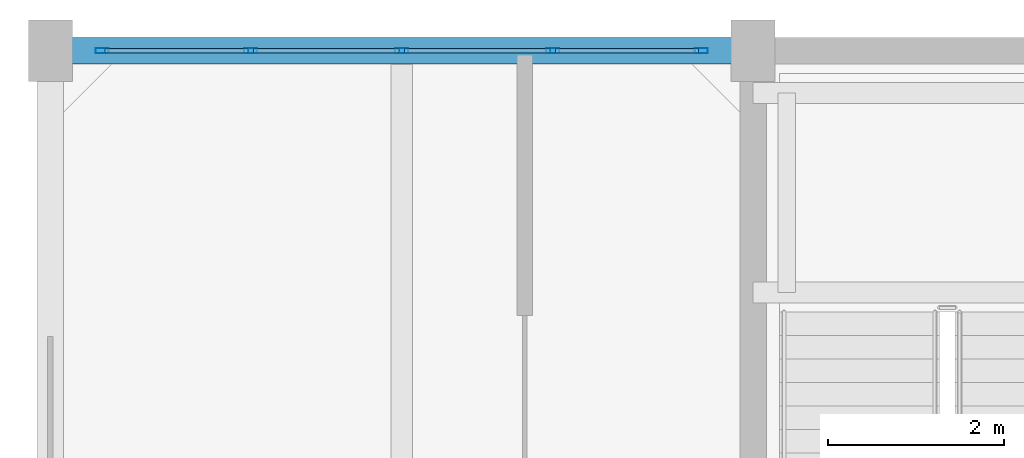
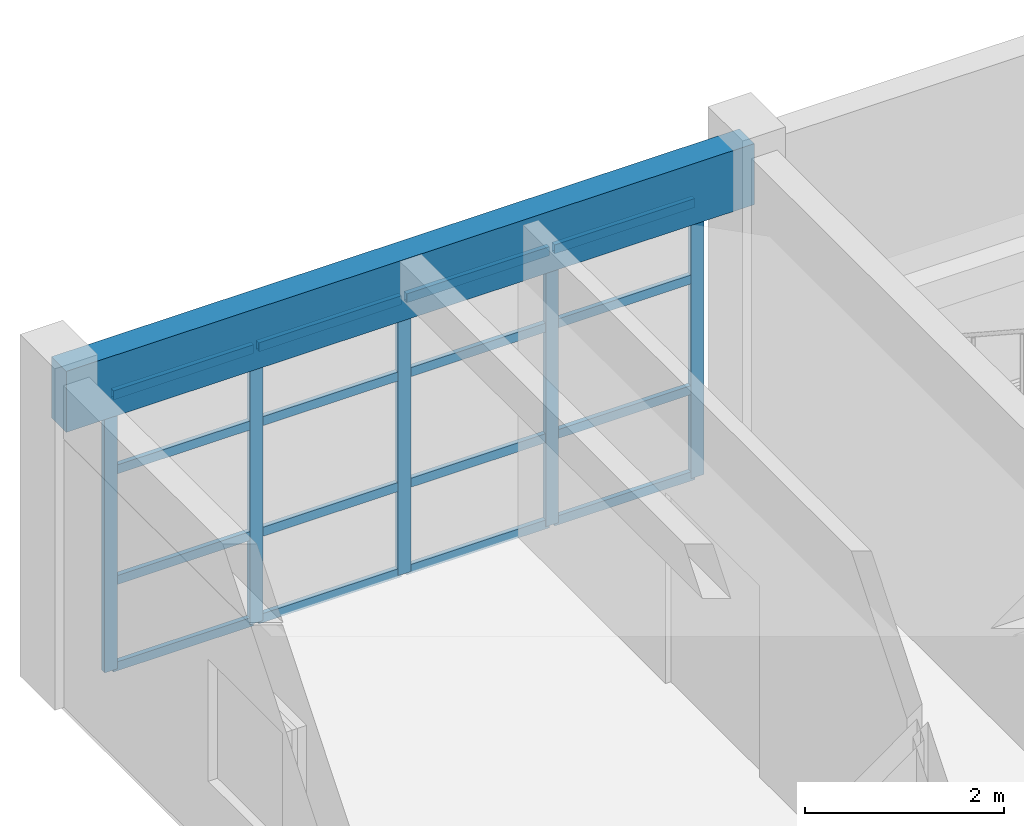
# One storey, part 10 of 18: 21 members, 1 beam, 1 element without a shape of its own.
"""IFC4 building model written with IfcOpenShell, lengths in metres."""

import ifcopenshell
import ifcopenshell.guid

model = None  # the IFC model being written
_history = None  # IfcOwnerHistory: only IFC2X3 demands one
_inside = {}  # id of a spatial element -> (the spatial element, [elements in it])
_under = {}  # id of a project, library or spatial element -> (it, [spatial elements below it])
_declared = {}  # id of a project -> (the project, [libraries it declares])
_typed = {}  # id of a type object -> (the type object, [elements of that type])
_made_of = {}  # id of a material, layer set ... -> (it, [elements and type objects made of it])


def new_model(schema):
    """Start an empty IFC model of exactly this schema.

    Asked for "IFC4X3", IfcOpenShell would pick the latest addendum, in which some entities
    have other attributes; the version numbers below select the first issue.
    IFC2X3 requires an IfcOwnerHistory on every rooted entity: one is made here for all.
    """
    global model, _history
    if schema == "IFC4X3":
        model = ifcopenshell.file(schema_version=(4, 3, 0, 0))
    else:
        model = ifcopenshell.file(schema=schema)
    _inside.clear()
    _under.clear()
    _declared.clear()
    _typed.clear()
    _made_of.clear()
    _history = None
    if model.schema == "IFC2X3":
        org = make("IfcOrganization", Name="unknown")
        user = make(
            "IfcPersonAndOrganization",
            ThePerson=make("IfcPerson", FamilyName="unknown"),
            TheOrganization=org,
        )
        app = make(
            "IfcApplication",
            ApplicationDeveloper=org,
            Version="unknown",
            ApplicationFullName="unknown",
            ApplicationIdentifier="unknown",
        )
        _history = make(
            "IfcOwnerHistory",
            OwningUser=user,
            OwningApplication=app,
            ChangeAction="ADDED",
            CreationDate=0,
        )
    return model


def make(cls, **values):
    """One entity of the class cls with the attributes given. An attribute that is None is left unset."""
    return model.create_entity(
        cls, **{name: value for name, value in values.items() if value is not None}
    )


def rooted(cls, **values):
    """An entity with a GlobalId (a new one), such as an element, a storey or a relation."""
    return make(cls, GlobalId=ifcopenshell.guid.new(), OwnerHistory=_history, **values)


def si_unit(unit_type, name, prefix=None):
    """IfcSIUnit, for example si_unit("LENGTHUNIT", "METRE", prefix="MILLI")."""
    return make("IfcSIUnit", UnitType=unit_type, Prefix=prefix, Name=name)


def assignment(units):
    """IfcUnitAssignment: the units of a project."""
    return None if units is None else make("IfcUnitAssignment", Units=units)


def point(xyz):
    """IfcCartesianPoint."""
    return None if xyz is None else make("IfcCartesianPoint", Coordinates=xyz)


def direction(xyz):
    """IfcDirection."""
    return None if xyz is None else make("IfcDirection", DirectionRatios=xyz)


def frame(location, z_axis=None, x_axis=None):
    """IfcAxis2Placement3D, a coordinate frame: its origin and axes. An axis left out is left unset."""
    return make(
        "IfcAxis2Placement3D",
        Location=point(location),
        Axis=direction(z_axis),
        RefDirection=direction(x_axis),
    )


def frame_2d(location, x_axis=None):
    """IfcAxis2Placement2D, a coordinate frame in the plane: its origin and x axis."""
    return make(
        "IfcAxis2Placement2D", Location=point(location), RefDirection=direction(x_axis)
    )


def origin():
    """The frame at (0, 0, 0) with its axes left unset."""
    return frame((0.0, 0.0, 0.0))


def origin_2d():
    """The frame at (0, 0) in the plane with its x axis left unset."""
    return frame_2d((0.0, 0.0))


def place(relative_to, where):
    """IfcLocalPlacement: puts the frame where relative to a parent placement (None: the world)."""
    return make(
        "IfcLocalPlacement", PlacementRelTo=relative_to, RelativePlacement=where
    )


def context(
    kind, dimensions, precision=None, world=None, true_north=None, identifier=None
):
    """IfcGeometricRepresentationContext, for example the 3D "Model" context."""
    return make(
        "IfcGeometricRepresentationContext",
        ContextIdentifier=identifier,
        ContextType=kind,
        CoordinateSpaceDimension=dimensions,
        Precision=precision,
        WorldCoordinateSystem=world,
        TrueNorth=true_north,
    )


def subcontext(parent, identifier, kind, view, scale=None):
    """IfcGeometricRepresentationSubContext, for example "Body" below "Model"."""
    return make(
        "IfcGeometricRepresentationSubContext",
        ContextIdentifier=identifier,
        ContextType=kind,
        ParentContext=parent,
        TargetScale=scale,
        TargetView=view,
    )


def project(units=None, contexts=None):
    """IfcProject with its units and contexts."""
    return rooted(
        "IfcProject",
        Name="project",
        RepresentationContexts=contexts,
        UnitsInContext=assignment(units),
    )


def spatial(cls, under=None, at=None, **own):
    """A site, building, storey or space (cls), placed at a placement, below another one or the project."""
    s = rooted(cls, ObjectPlacement=at, **own)
    if under is not None:
        _under.setdefault(under.id(), (under, []))[1].append(s)
    return s


def profile(cls, at=None, kind="AREA", **sizes):
    """A parametric profile (cls). Its sizes go by their IFC names, for example OverallWidth=200.0."""
    return make(cls, ProfileType=kind, Position=at, **sizes)


def rectangle(**sizes):
    """IfcRectangleProfileDef."""
    return profile("IfcRectangleProfileDef", **sizes)


def hollow_rectangle(**sizes):
    """IfcRectangleHollowProfileDef."""
    return profile("IfcRectangleHollowProfileDef", **sizes)


def extrude(swept, where, along, depth):
    """IfcExtrudedAreaSolid: the profile swept, set in the frame where, extruded along a direction by depth."""
    return make(
        "IfcExtrudedAreaSolid",
        SweptArea=swept,
        Position=where,
        ExtrudedDirection=direction(along),
        Depth=depth,
    )


def shape(context_of_items, identifier, shape_type, items):
    """IfcShapeRepresentation: the items that make up one representation, for example the "Body"."""
    return make(
        "IfcShapeRepresentation",
        ContextOfItems=context_of_items,
        RepresentationIdentifier=identifier,
        RepresentationType=shape_type,
        Items=items,
    )


def material(Name=None, Category=None):
    """IfcMaterial."""
    return make("IfcMaterial", Name=Name, Category=Category)


def layer(
    of_material, thickness, ventilated=None, Name=None, Category=None, Priority=None
):
    """IfcMaterialLayer: one layer of a wall or slab, of a material (None: an air gap)."""
    return make(
        "IfcMaterialLayer",
        Material=of_material,
        LayerThickness=thickness,
        IsVentilated=ventilated,
        Name=Name,
        Category=Category,
        Priority=Priority,
    )


def layer_set(layers, Name=None):
    """IfcMaterialLayerSet."""
    return make("IfcMaterialLayerSet", MaterialLayers=layers, LayerSetName=Name)


def material_profile(
    of_material, cross_section, Name=None, Category=None, Priority=None
):
    """IfcMaterialProfile: a cross section and its material."""
    return make(
        "IfcMaterialProfile",
        Name=Name,
        Material=of_material,
        Profile=cross_section,
        Priority=Priority,
        Category=Category,
    )


def profile_set(profiles, Name=None, composite=None):
    """IfcMaterialProfileSet."""
    return make(
        "IfcMaterialProfileSet",
        Name=Name,
        MaterialProfiles=profiles,
        CompositeProfile=composite,
    )


def made_of(thing, what):
    """Note that an element or type object is made of a material, layer set ...; save() writes the relation."""
    if what is not None:
        _made_of.setdefault(what.id(), (what, []))[1].append(thing)
    return thing


def type_object(cls, material=None, **own):
    """A type object (cls), such as IfcWallType, which elements share."""
    return made_of(rooted(cls, **own), material)


def element(
    cls,
    number,
    at=None,
    inside=None,
    cuts=None,
    type_object=None,
    material=None,
    context=None,
    identifier="Body",
    shape_type=None,
    held_by="IfcProductDefinitionShape",
    body=None,
    shapes=None,
    **own,
):
    """One element of the class cls, such as IfcWall. Its Tag is "e" and its number.

    at: its placement. inside: the storey or other place that contains it. cuts: it is an
    opening in that element (IfcRelVoidsElement). A single representation is given by context,
    identifier, shape_type and body (its items); several are given by shapes. held_by: the class
    of the entity that holds the representations. save() writes the other relations.
    """
    e = rooted(cls, Tag="e%d" % number, ObjectPlacement=at, **own)
    if body is not None:
        shapes = [shape(context, identifier, shape_type, body)]
    if shapes is not None:
        e.Representation = make(held_by, Representations=shapes)
    if inside is not None:
        _inside.setdefault(inside.id(), (inside, []))[1].append(e)
    if cuts is not None:
        rooted(
            "IfcRelVoidsElement", RelatingBuildingElement=cuts, RelatedOpeningElement=e
        )
    if type_object is not None:
        _typed.setdefault(type_object.id(), (type_object, []))[1].append(e)
    return made_of(e, material)


def aggregate(whole, parts):
    """IfcRelAggregates: a whole, such as a stair, and the parts it consists of."""
    return rooted("IfcRelAggregates", RelatingObject=whole, RelatedObjects=parts)


def save(model, path):
    """Write the relations noted so far, then the file.

    IfcRelAggregates (storeys below a building ...), IfcRelContainedInSpatialStructure (elements
    in a storey), IfcRelDefinesByType, IfcRelAssociatesMaterial and IfcRelDeclares: one each for
    every whole, place, type object, material and project.
    """
    for whole, parts in _under.values():
        aggregate(whole, parts)
    for where, things in _inside.values():
        rooted(
            "IfcRelContainedInSpatialStructure",
            RelatedElements=things,
            RelatingStructure=where,
        )
    for kind, things in _typed.values():
        rooted("IfcRelDefinesByType", RelatedObjects=things, RelatingType=kind)
    for what, things in _made_of.values():
        rooted("IfcRelAssociatesMaterial", RelatedObjects=things, RelatingMaterial=what)
    for by, libraries in _declared.values():
        rooted("IfcRelDeclares", RelatingContext=by, RelatedDefinitions=libraries)
    model.write(path)


model = new_model("IFC4")

# Units and contexts
model_context = context("Model", 3, precision=1e-05, world=origin(), true_north=direction((0.0, 1.0)))
body_context = subcontext(model_context, "Body", "Model", "MODEL_VIEW")
ifc_project = project(units=[si_unit("LENGTHUNIT", "METRE"), si_unit("AREAUNIT", "SQUARE_METRE"), si_unit("VOLUMEUNIT", "CUBIC_METRE"), si_unit("PLANEANGLEUNIT", "RADIAN"), si_unit("MASSUNIT", "GRAM", prefix="KILO")], contexts=[model_context])

# Site, building, storey
site_placement = place(None, origin())
site = spatial("IfcSite", under=ifc_project, at=site_placement, CompositionType="ELEMENT")
building_placement = place(site_placement, origin())
building = spatial("IfcBuilding", under=site, at=building_placement, Name="Canggui Botanical Conservatory", CompositionType="ELEMENT")
storey_placement = place(building_placement, frame((0.0, 0.0, 61.199951171875)))
storey = spatial("IfcBuildingStorey", under=building, at=storey_placement, Name="L15", CompositionType="ELEMENT", Elevation=61.199951171875)

# Beam
ifc_material_1 = material(Name="Concrete C35", Category="concrete")
ifc_material_profile_1 = material_profile(ifc_material_1, rectangle(XDim=0.300048828125, YDim=0.75, at=origin_2d()), Name="RB 300x750")
ifc_profile_set_1 = profile_set([ifc_material_profile_1], Name="Concrete C35")
beam_type = type_object("IfcBeamType", Name="BM-SPD01", PredefinedType="SPANDREL", material=ifc_profile_set_1)
beam_placement = place(storey_placement, frame((146.0, 66.0, 3.5849609375), z_axis=(1.0, 0.0, 0.0), x_axis=(0.0, 1.0, 0.0)))
element("IfcBeam", 1, at=beam_placement, inside=storey, type_object=beam_type, Name="Frame Girder L15 Y66-1", PredefinedType="SPANDREL", context=body_context, shape_type="SweptSolid", body=[
    extrude(rectangle(XDim=0.300048828125, YDim=0.75, at=origin_2d()), origin(), (0.0, 0.0, 1.0), 8.0),
])

# Curtain wall, members
ifc_material_2 = material(Name="Thermally Broken Aluminium", Category="aluminium")
ifc_layer = layer(ifc_material_2, 0.14990234375, Name="Thermally Broken Aluminium", Category="aluminium")
ifc_layer_set = layer_set([ifc_layer], Name="Thermally Broken Aluminium")
curtain_wall_type = type_object("IfcCurtainWallType", Name="CW-UNIT-C", PredefinedType="USERDEFINED", material=ifc_layer_set)
curtain_wall_placement = place(storey_placement, origin())
curtain_wall = element("IfcCurtainWall", 2, at=curtain_wall_placement, inside=storey, type_object=curtain_wall_type, Name="Facade Curtain Wall CW-TWR-L15-07", ObjectType="UNITISED CURTAIN WALL", PredefinedType="USERDEFINED")
ifc_material_profile_2 = material_profile(ifc_material_2, hollow_rectangle(XDim=0.06005859375, YDim=0.14990234375, WallThickness=0.00341796875, at=origin_2d()), Name="CWM 60x150x3.5")
ifc_profile_set_2 = profile_set([ifc_material_profile_2], Name="Thermally Broken Aluminium")
member_type_1 = type_object("IfcMemberType", Name="CWM-03", PredefinedType="MULLION", material=ifc_profile_set_2)
member_1_placement = place(storey_placement, frame((146.590087890625, 66.0, 0.0), z_axis=(0.0, 0.0, 1.0), x_axis=(0.0, 1.0, 0.0)))
member_1 = element("IfcMember", 3, at=member_1_placement, type_object=member_type_1, Name="CW-03 mullion 1", PredefinedType="MULLION", context=body_context, shape_type="SweptSolid", body=[
    extrude(hollow_rectangle(XDim=0.06005859375, YDim=0.14990234375, WallThickness=0.00341796875, at=origin_2d()), origin(), (0.0, 0.0, 1.0), 3.400146484375),
])
member_2_placement = place(storey_placement, frame((148.280029296875, 66.0, 0.0), z_axis=(0.0, 0.0, 1.0), x_axis=(0.0, 1.0, 0.0)))
member_2 = element("IfcMember", 4, at=member_2_placement, type_object=member_type_1, Name="CW-03 mullion 2", PredefinedType="MULLION", context=body_context, shape_type="SweptSolid", body=[
    extrude(hollow_rectangle(XDim=0.06005859375, YDim=0.14990234375, WallThickness=0.00341796875, at=origin_2d()), origin(), (0.0, 0.0, 1.0), 3.400146484375),
])
member_3_placement = place(storey_placement, frame((150.0, 66.0, 0.0), z_axis=(0.0, 0.0, 1.0), x_axis=(0.0, 1.0, 0.0)))
member_3 = element("IfcMember", 5, at=member_3_placement, type_object=member_type_1, Name="CW-03 mullion 3", PredefinedType="MULLION", context=body_context, shape_type="SweptSolid", body=[
    extrude(hollow_rectangle(XDim=0.06005859375, YDim=0.14990234375, WallThickness=0.00341796875, at=origin_2d()), origin(), (0.0, 0.0, 1.0), 3.400146484375),
])
member_4_placement = place(storey_placement, frame((151.719970703125, 66.0, 0.0), z_axis=(0.0, 0.0, 1.0), x_axis=(0.0, 1.0, 0.0)))
member_4 = element("IfcMember", 6, at=member_4_placement, type_object=member_type_1, Name="CW-03 mullion 4", PredefinedType="MULLION", context=body_context, shape_type="SweptSolid", body=[
    extrude(hollow_rectangle(XDim=0.06005859375, YDim=0.14990234375, WallThickness=0.00341796875, at=origin_2d()), origin(), (0.0, 0.0, 1.0), 3.400146484375),
])
member_5_placement = place(storey_placement, frame((153.409912109375, 66.0, 0.0), z_axis=(0.0, 0.0, 1.0), x_axis=(0.0, 1.0, 0.0)))
member_5 = element("IfcMember", 7, at=member_5_placement, type_object=member_type_1, Name="CW-03 mullion 5", PredefinedType="MULLION", context=body_context, shape_type="SweptSolid", body=[
    extrude(hollow_rectangle(XDim=0.06005859375, YDim=0.14990234375, WallThickness=0.00341796875, at=origin_2d()), origin(), (0.0, 0.0, 1.0), 3.400146484375),
])
ifc_material_profile_3 = material_profile(ifc_material_2, hollow_rectangle(XDim=0.054931640625, YDim=0.110107421875, WallThickness=0.0029296875, at=origin_2d()), Name="CWT 55x110x3")
ifc_profile_set_3 = profile_set([ifc_material_profile_3], Name="Thermally Broken Aluminium")
member_type_2 = type_object("IfcMemberType", Name="CWT-03", PredefinedType="USERDEFINED", material=ifc_profile_set_3)
member_6_placement = place(storey_placement, frame((146.6201171875, 66.0, 0.027587890625), z_axis=(1.0, 0.0, 0.0), x_axis=(0.0, 1.0, 0.0)))
member_6 = element("IfcMember", 8, at=member_6_placement, type_object=member_type_2, Name="CW-03 transom 1.1", ObjectType="TRANSOM", PredefinedType="USERDEFINED", context=body_context, shape_type="SweptSolid", body=[
    extrude(hollow_rectangle(XDim=0.054931640625, YDim=0.110107421875, WallThickness=0.0029296875, at=origin_2d()), origin(), (0.0, 0.0, 1.0), 1.6298828125),
])
member_7_placement = place(storey_placement, frame((146.6201171875, 66.0, 1.088134765625), z_axis=(1.0, 0.0, 0.0), x_axis=(0.0, 1.0, 0.0)))
member_7 = element("IfcMember", 9, at=member_7_placement, type_object=member_type_2, Name="CW-03 transom 1.2", ObjectType="TRANSOM", PredefinedType="USERDEFINED", context=body_context, shape_type="SweptSolid", body=[
    extrude(hollow_rectangle(XDim=0.054931640625, YDim=0.110107421875, WallThickness=0.0029296875, at=origin_2d()), origin(), (0.0, 0.0, 1.0), 1.6298828125),
])
member_8_placement = place(storey_placement, frame((146.6201171875, 66.0, 2.447998046875), z_axis=(1.0, 0.0, 0.0), x_axis=(0.0, 1.0, 0.0)))
member_8 = element("IfcMember", 10, at=member_8_placement, type_object=member_type_2, Name="CW-03 transom 1.3", ObjectType="TRANSOM", PredefinedType="USERDEFINED", context=body_context, shape_type="SweptSolid", body=[
    extrude(hollow_rectangle(XDim=0.054931640625, YDim=0.110107421875, WallThickness=0.0029296875, at=origin_2d()), origin(), (0.0, 0.0, 1.0), 1.6298828125),
])
member_9_placement = place(storey_placement, frame((146.6201171875, 66.0, 3.37255859375), z_axis=(1.0, 0.0, 0.0), x_axis=(0.0, 1.0, 0.0)))
member_9 = element("IfcMember", 11, at=member_9_placement, type_object=member_type_2, Name="CW-03 transom 1.4", ObjectType="TRANSOM", PredefinedType="USERDEFINED", context=body_context, shape_type="SweptSolid", body=[
    extrude(hollow_rectangle(XDim=0.054931640625, YDim=0.110107421875, WallThickness=0.0029296875, at=origin_2d()), origin(), (0.0, 0.0, 1.0), 1.6298828125),
])
member_10_placement = place(storey_placement, frame((148.31005859375, 66.0, 0.027587890625), z_axis=(1.0, 0.0, 0.0), x_axis=(0.0, 1.0, 0.0)))
member_10 = element("IfcMember", 12, at=member_10_placement, type_object=member_type_2, Name="CW-03 transom 2.1", ObjectType="TRANSOM", PredefinedType="USERDEFINED", context=body_context, shape_type="SweptSolid", body=[
    extrude(hollow_rectangle(XDim=0.054931640625, YDim=0.110107421875, WallThickness=0.0029296875, at=origin_2d()), origin(), (0.0, 0.0, 1.0), 1.659912109375),
])
member_11_placement = place(storey_placement, frame((148.31005859375, 66.0, 1.088134765625), z_axis=(1.0, 0.0, 0.0), x_axis=(0.0, 1.0, 0.0)))
member_11 = element("IfcMember", 13, at=member_11_placement, type_object=member_type_2, Name="CW-03 transom 2.2", ObjectType="TRANSOM", PredefinedType="USERDEFINED", context=body_context, shape_type="SweptSolid", body=[
    extrude(hollow_rectangle(XDim=0.054931640625, YDim=0.110107421875, WallThickness=0.0029296875, at=origin_2d()), origin(), (0.0, 0.0, 1.0), 1.659912109375),
])
member_12_placement = place(storey_placement, frame((148.31005859375, 66.0, 2.447998046875), z_axis=(1.0, 0.0, 0.0), x_axis=(0.0, 1.0, 0.0)))
member_12 = element("IfcMember", 14, at=member_12_placement, type_object=member_type_2, Name="CW-03 transom 2.3", ObjectType="TRANSOM", PredefinedType="USERDEFINED", context=body_context, shape_type="SweptSolid", body=[
    extrude(hollow_rectangle(XDim=0.054931640625, YDim=0.110107421875, WallThickness=0.0029296875, at=origin_2d()), origin(), (0.0, 0.0, 1.0), 1.659912109375),
])
member_13_placement = place(storey_placement, frame((148.31005859375, 66.0, 3.37255859375), z_axis=(1.0, 0.0, 0.0), x_axis=(0.0, 1.0, 0.0)))
member_13 = element("IfcMember", 15, at=member_13_placement, type_object=member_type_2, Name="CW-03 transom 2.4", ObjectType="TRANSOM", PredefinedType="USERDEFINED", context=body_context, shape_type="SweptSolid", body=[
    extrude(hollow_rectangle(XDim=0.054931640625, YDim=0.110107421875, WallThickness=0.0029296875, at=origin_2d()), origin(), (0.0, 0.0, 1.0), 1.659912109375),
])
member_14_placement = place(storey_placement, frame((150.030029296875, 66.0, 0.027587890625), z_axis=(1.0, 0.0, 0.0), x_axis=(0.0, 1.0, 0.0)))
member_14 = element("IfcMember", 16, at=member_14_placement, type_object=member_type_2, Name="CW-03 transom 3.1", ObjectType="TRANSOM", PredefinedType="USERDEFINED", context=body_context, shape_type="SweptSolid", body=[
    extrude(hollow_rectangle(XDim=0.054931640625, YDim=0.110107421875, WallThickness=0.0029296875, at=origin_2d()), origin(), (0.0, 0.0, 1.0), 1.659912109375),
])
member_15_placement = place(storey_placement, frame((150.030029296875, 66.0, 1.088134765625), z_axis=(1.0, 0.0, 0.0), x_axis=(0.0, 1.0, 0.0)))
member_15 = element("IfcMember", 17, at=member_15_placement, type_object=member_type_2, Name="CW-03 transom 3.2", ObjectType="TRANSOM", PredefinedType="USERDEFINED", context=body_context, shape_type="SweptSolid", body=[
    extrude(hollow_rectangle(XDim=0.054931640625, YDim=0.110107421875, WallThickness=0.0029296875, at=origin_2d()), origin(), (0.0, 0.0, 1.0), 1.659912109375),
])
member_16_placement = place(storey_placement, frame((150.030029296875, 66.0, 2.447998046875), z_axis=(1.0, 0.0, 0.0), x_axis=(0.0, 1.0, 0.0)))
member_16 = element("IfcMember", 18, at=member_16_placement, type_object=member_type_2, Name="CW-03 transom 3.3", ObjectType="TRANSOM", PredefinedType="USERDEFINED", context=body_context, shape_type="SweptSolid", body=[
    extrude(hollow_rectangle(XDim=0.054931640625, YDim=0.110107421875, WallThickness=0.0029296875, at=origin_2d()), origin(), (0.0, 0.0, 1.0), 1.659912109375),
])
member_17_placement = place(storey_placement, frame((150.030029296875, 66.0, 3.37255859375), z_axis=(1.0, 0.0, 0.0), x_axis=(0.0, 1.0, 0.0)))
member_17 = element("IfcMember", 19, at=member_17_placement, type_object=member_type_2, Name="CW-03 transom 3.4", ObjectType="TRANSOM", PredefinedType="USERDEFINED", context=body_context, shape_type="SweptSolid", body=[
    extrude(hollow_rectangle(XDim=0.054931640625, YDim=0.110107421875, WallThickness=0.0029296875, at=origin_2d()), origin(), (0.0, 0.0, 1.0), 1.659912109375),
])
member_18_placement = place(storey_placement, frame((151.75, 66.0, 0.027587890625), z_axis=(1.0, 0.0, 0.0), x_axis=(0.0, 1.0, 0.0)))
member_18 = element("IfcMember", 20, at=member_18_placement, type_object=member_type_2, Name="CW-03 transom 4.1", ObjectType="TRANSOM", PredefinedType="USERDEFINED", context=body_context, shape_type="SweptSolid", body=[
    extrude(hollow_rectangle(XDim=0.054931640625, YDim=0.110107421875, WallThickness=0.0029296875, at=origin_2d()), origin(), (0.0, 0.0, 1.0), 1.6298828125),
])
member_19_placement = place(storey_placement, frame((151.75, 66.0, 1.088134765625), z_axis=(1.0, 0.0, 0.0), x_axis=(0.0, 1.0, 0.0)))
member_19 = element("IfcMember", 21, at=member_19_placement, type_object=member_type_2, Name="CW-03 transom 4.2", ObjectType="TRANSOM", PredefinedType="USERDEFINED", context=body_context, shape_type="SweptSolid", body=[
    extrude(hollow_rectangle(XDim=0.054931640625, YDim=0.110107421875, WallThickness=0.0029296875, at=origin_2d()), origin(), (0.0, 0.0, 1.0), 1.6298828125),
])
member_20_placement = place(storey_placement, frame((151.75, 66.0, 2.447998046875), z_axis=(1.0, 0.0, 0.0), x_axis=(0.0, 1.0, 0.0)))
member_20 = element("IfcMember", 22, at=member_20_placement, type_object=member_type_2, Name="CW-03 transom 4.3", ObjectType="TRANSOM", PredefinedType="USERDEFINED", context=body_context, shape_type="SweptSolid", body=[
    extrude(hollow_rectangle(XDim=0.054931640625, YDim=0.110107421875, WallThickness=0.0029296875, at=origin_2d()), origin(), (0.0, 0.0, 1.0), 1.6298828125),
])
member_21_placement = place(storey_placement, frame((151.75, 66.0, 3.37255859375), z_axis=(1.0, 0.0, 0.0), x_axis=(0.0, 1.0, 0.0)))
member_21 = element("IfcMember", 23, at=member_21_placement, type_object=member_type_2, Name="CW-03 transom 4.4", ObjectType="TRANSOM", PredefinedType="USERDEFINED", context=body_context, shape_type="SweptSolid", body=[
    extrude(hollow_rectangle(XDim=0.054931640625, YDim=0.110107421875, WallThickness=0.0029296875, at=origin_2d()), origin(), (0.0, 0.0, 1.0), 1.6298828125),
])
aggregate(curtain_wall, [member_1, member_2, member_3, member_4, member_5, member_6, member_7, member_8, member_9, member_10, member_11, member_12, member_13, member_14, member_15, member_16, member_17, member_18, member_19, member_20, member_21])

save(model, "model.ifc")
